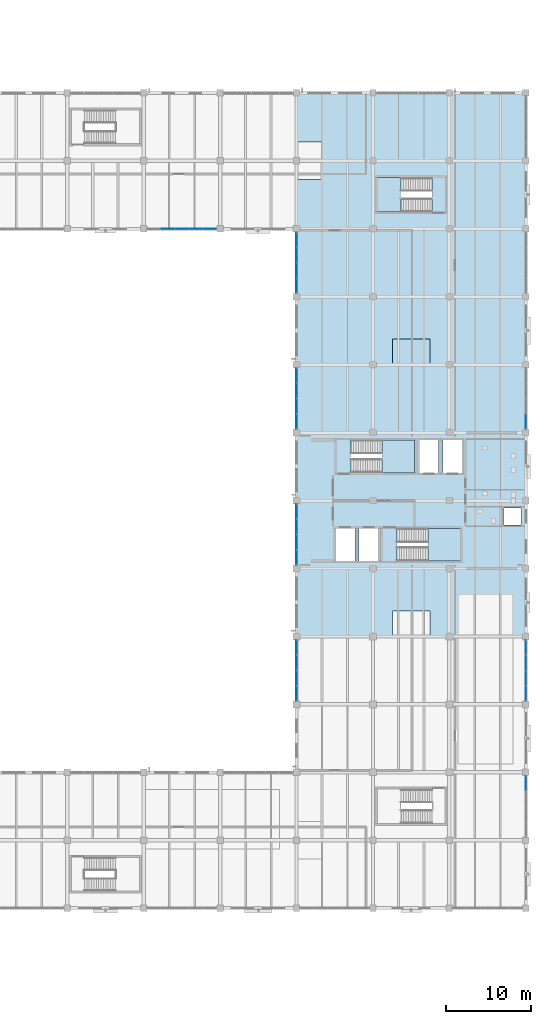
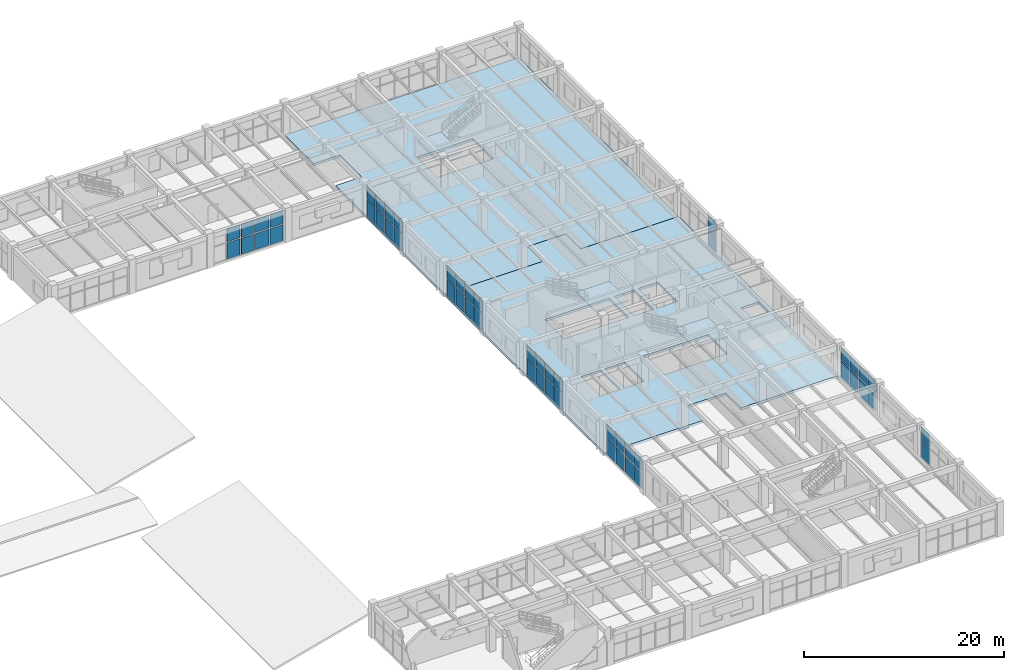
# One storey, part 122 of 148: 52 plates, 5 slabs, 11 elements without a shape of their own.
"""IFC4 building model written with IfcOpenShell, lengths in metres."""

from ifc_helpers import new_model, si_unit, derived_unit, direction, frame, origin, origin_2d, place, context, subcontext, project, spatial, polyline, rectangle, outline, extrude, material, layer, layer_set, type_object, element, aggregate, save


model = new_model("IFC4")

# Units and contexts
model_context = context("Model", 3, precision=1e-05, world=origin(), true_north=direction((0.0, 1.0)))
body_context = subcontext(model_context, "Body", "Model", "MODEL_VIEW")
ifc_project = project(units=[si_unit("LENGTHUNIT", "METRE"), si_unit("AREAUNIT", "SQUARE_METRE"), si_unit("VOLUMEUNIT", "CUBIC_METRE"), si_unit("PLANEANGLEUNIT", "RADIAN"), si_unit("MASSUNIT", "GRAM", prefix="KILO"), derived_unit("THERMALTRANSMITTANCEUNIT", [(si_unit("MASSUNIT", "GRAM", prefix="KILO"), 1), (si_unit("TIMEUNIT", "SECOND"), -3), (si_unit("THERMODYNAMICTEMPERATUREUNIT", "KELVIN"), -1)])], contexts=[model_context])

# Site, building, storey
site_placement = place(None, origin())
site = spatial("IfcSite", under=ifc_project, at=site_placement, CompositionType="ELEMENT")
building_placement = place(site_placement, origin())
building = spatial("IfcBuilding", under=site, at=building_placement, Name="Zhenchuan Archway Interchange", CompositionType="ELEMENT")
storey_placement = place(building_placement, frame((0.0, 0.0, 10.199951171875)))
storey = spatial("IfcBuildingStorey", under=building, at=storey_placement, Name="L02", CompositionType="ELEMENT", Elevation=10.199951171875)

# Curtain wall, plates
ifc_material_1 = material(Name="Anodised Aluminium", Category="aluminium")
curtain_wall_type_1 = type_object("IfcCurtainWallType", Name="CW_UNIT_2", PredefinedType="NOTDEFINED", material=ifc_material_1)
curtain_wall_1_placement = place(storey_placement, origin())
curtain_wall_1 = element("IfcCurtainWall", 1, at=curtain_wall_1_placement, inside=storey, type_object=curtain_wall_type_1, Name="Unitised curtain wall CW:L02:145", PredefinedType="NOTDEFINED")
ifc_material_2 = material(Name="Double Low-E Insulated Glazing", Category="glass")
ifc_layer_1 = layer(ifc_material_2, 0.028076171875)
ifc_layer_set_1 = layer_set([ifc_layer_1], Name="Double Low-E Insulated Glazing")
plate_type_1 = type_object("IfcPlateType", Name="CW_GLZ_1", PredefinedType="CURTAIN_PANEL", material=ifc_layer_set_1)
plate_1_placement = place(storey_placement, frame((133.815673828125, 88.0, 0.080078125), z_axis=(0.0, 0.0, 1.0), x_axis=(-1.0, 0.0, 0.0)))
plate_1 = element("IfcPlate", 2, at=plate_1_placement, type_object=plate_type_1, Name="CW:L02:145 lower glazing panel 0", PredefinedType="CURTAIN_PANEL", context=body_context, shape_type="SweptSolid", body=[
    extrude(rectangle(XDim=1.502685546875, YDim=0.028076171875, at=origin_2d()), origin(), (0.0, 0.0, 1.0), 2.0048828125),
])
plate_2_placement = place(storey_placement, frame((132.162841796875, 88.0, 0.080078125), z_axis=(0.0, 0.0, 1.0), x_axis=(-1.0, 0.0, 0.0)))
plate_2 = element("IfcPlate", 3, at=plate_2_placement, type_object=plate_type_1, Name="CW:L02:145 lower glazing panel 1", PredefinedType="CURTAIN_PANEL", context=body_context, shape_type="SweptSolid", body=[
    extrude(rectangle(XDim=1.522705078125, YDim=0.028076171875, at=origin_2d()), origin(), (0.0, 0.0, 1.0), 2.0048828125),
])
plate_3_placement = place(storey_placement, frame((130.5, 88.0, 0.080078125), z_axis=(0.0, 0.0, 1.0), x_axis=(-1.0, 0.0, 0.0)))
plate_3 = element("IfcPlate", 4, at=plate_3_placement, type_object=plate_type_1, Name="CW:L02:145 lower glazing panel 2", PredefinedType="CURTAIN_PANEL", context=body_context, shape_type="SweptSolid", body=[
    extrude(rectangle(XDim=1.522705078125, YDim=0.028076171875, at=origin_2d()), origin(), (0.0, 0.0, 1.0), 2.0048828125),
])
plate_4_placement = place(storey_placement, frame((128.837158203125, 88.0, 0.080078125), z_axis=(0.0, 0.0, 1.0), x_axis=(-1.0, 0.0, 0.0)))
plate_4 = element("IfcPlate", 5, at=plate_4_placement, type_object=plate_type_1, Name="CW:L02:145 lower glazing panel 3", PredefinedType="CURTAIN_PANEL", context=body_context, shape_type="SweptSolid", body=[
    extrude(rectangle(XDim=1.522705078125, YDim=0.028076171875, at=origin_2d()), origin(), (0.0, 0.0, 1.0), 2.0048828125),
])
ifc_layer_2 = layer(ifc_material_2, 0.02587890625)
ifc_layer_set_2 = layer_set([ifc_layer_2], Name="Double Low-E Insulated Glazing")
plate_type_2 = type_object("IfcPlateType", Name="CW_GLZ_2", PredefinedType="CURTAIN_PANEL", material=ifc_layer_set_2)
plate_5_placement = place(storey_placement, frame((133.815673828125, 88.0, 2.205078125), z_axis=(0.0, 0.0, 1.0), x_axis=(-1.0, 0.0, 0.0)))
plate_5 = element("IfcPlate", 6, at=plate_5_placement, type_object=plate_type_2, Name="CW:L02:145 upper glazing panel 0", PredefinedType="CURTAIN_PANEL", context=body_context, shape_type="SweptSolid", body=[
    extrude(rectangle(XDim=1.502685546875, YDim=0.02587890625, at=origin_2d()), origin(), (0.0, 0.0, 1.0), 1.614990234375),
])
plate_6_placement = place(storey_placement, frame((132.162841796875, 88.0, 2.205078125), z_axis=(0.0, 0.0, 1.0), x_axis=(-1.0, 0.0, 0.0)))
plate_6 = element("IfcPlate", 7, at=plate_6_placement, type_object=plate_type_2, Name="CW:L02:145 upper glazing panel 1", PredefinedType="CURTAIN_PANEL", context=body_context, shape_type="SweptSolid", body=[
    extrude(rectangle(XDim=1.522705078125, YDim=0.02587890625, at=origin_2d()), origin(), (0.0, 0.0, 1.0), 1.614990234375),
])
plate_7_placement = place(storey_placement, frame((130.5, 88.0, 2.205078125), z_axis=(0.0, 0.0, 1.0), x_axis=(-1.0, 0.0, 0.0)))
plate_7 = element("IfcPlate", 8, at=plate_7_placement, type_object=plate_type_2, Name="CW:L02:145 upper glazing panel 2", PredefinedType="CURTAIN_PANEL", context=body_context, shape_type="SweptSolid", body=[
    extrude(rectangle(XDim=1.522705078125, YDim=0.02587890625, at=origin_2d()), origin(), (0.0, 0.0, 1.0), 1.614990234375),
])
plate_8_placement = place(storey_placement, frame((128.837158203125, 88.0, 2.205078125), z_axis=(0.0, 0.0, 1.0), x_axis=(-1.0, 0.0, 0.0)))
plate_8 = element("IfcPlate", 9, at=plate_8_placement, type_object=plate_type_2, Name="CW:L02:145 upper glazing panel 3", PredefinedType="CURTAIN_PANEL", context=body_context, shape_type="SweptSolid", body=[
    extrude(rectangle(XDim=1.522705078125, YDim=0.02587890625, at=origin_2d()), origin(), (0.0, 0.0, 1.0), 1.614990234375),
])
aggregate(curtain_wall_1, [plate_1, plate_5, plate_2, plate_6, plate_3, plate_7, plate_4, plate_8])

curtain_wall_type_2 = type_object("IfcCurtainWallType", Name="CW_UNIT_1", PredefinedType="NOTDEFINED", material=ifc_material_1)
curtain_wall_2_placement = place(storey_placement, origin())
curtain_wall_2 = element("IfcCurtainWall", 10, at=curtain_wall_2_placement, inside=storey, type_object=curtain_wall_type_2, Name="Unitised curtain wall CW:L02:144", PredefinedType="NOTDEFINED")
ifc_layer_3 = layer(ifc_material_2, 0.030029296875)
ifc_layer_set_3 = layer_set([ifc_layer_3], Name="Double Low-E Insulated Glazing")
plate_type_3 = type_object("IfcPlateType", Name="CW_GLZ_3", PredefinedType="CURTAIN_PANEL", material=ifc_layer_set_3)
plate_9_placement = place(storey_placement, frame((144.0, 81.285888671875, 0.080078125), z_axis=(0.0, 0.0, 1.0), x_axis=(0.0, 1.0, 0.0)))
plate_9 = element("IfcPlate", 11, at=plate_9_placement, type_object=plate_type_3, Name="CW:L02:144 lower glazing panel 0", PredefinedType="CURTAIN_PANEL", context=body_context, shape_type="SweptSolid", body=[
    extrude(rectangle(XDim=1.656005859375, YDim=0.028076171875, at=origin_2d()), origin(), (0.0, 0.0, 1.0), 2.0048828125),
])
plate_10_placement = place(storey_placement, frame((144.0, 83.092041015625, 0.080078125), z_axis=(0.0, 0.0, 1.0), x_axis=(0.0, 1.0, 0.0)))
plate_10 = element("IfcPlate", 12, at=plate_10_placement, type_object=plate_type_3, Name="CW:L02:144 lower glazing panel 1", PredefinedType="CURTAIN_PANEL", context=body_context, shape_type="SweptSolid", body=[
    extrude(rectangle(XDim=1.676025390625, YDim=0.028076171875, at=origin_2d()), origin(), (0.0, 0.0, 1.0), 2.0048828125),
])
plate_11_placement = place(storey_placement, frame((144.0, 84.907958984375, 0.080078125), z_axis=(0.0, 0.0, 1.0), x_axis=(0.0, 1.0, 0.0)))
plate_11 = element("IfcPlate", 13, at=plate_11_placement, type_object=plate_type_3, Name="CW:L02:144 lower glazing panel 2", PredefinedType="CURTAIN_PANEL", context=body_context, shape_type="SweptSolid", body=[
    extrude(rectangle(XDim=1.676025390625, YDim=0.028076171875, at=origin_2d()), origin(), (0.0, 0.0, 1.0), 2.0048828125),
])
plate_12_placement = place(storey_placement, frame((144.0, 86.714111328125, 0.080078125), z_axis=(0.0, 0.0, 1.0), x_axis=(0.0, 1.0, 0.0)))
plate_12 = element("IfcPlate", 14, at=plate_12_placement, type_object=plate_type_3, Name="CW:L02:144 lower glazing panel 3", PredefinedType="CURTAIN_PANEL", context=body_context, shape_type="SweptSolid", body=[
    extrude(rectangle(XDim=1.656005859375, YDim=0.028076171875, at=origin_2d()), origin(), (0.0, 0.0, 1.0), 2.0048828125),
])

# Curtain wall, plate
curtain_wall_3_placement = place(storey_placement, origin())
curtain_wall_3 = element("IfcCurtainWall", 15, at=curtain_wall_3_placement, inside=storey, type_object=curtain_wall_type_1, Name="Unitised curtain wall CW:L02:153", PredefinedType="NOTDEFINED")
plate_13_placement = place(storey_placement, frame((171.0, 65.285888671875, 0.080078125), z_axis=(0.0, 0.0, 1.0), x_axis=(0.0, -1.0, 0.0)))
plate_13 = element("IfcPlate", 16, at=plate_13_placement, type_object=plate_type_3, Name="CW:L02:153 lower glazing panel 3", PredefinedType="CURTAIN_PANEL", context=body_context, shape_type="SweptSolid", body=[
    extrude(rectangle(XDim=1.656005859375, YDim=0.028076171875, at=origin_2d()), origin(), (0.0, 0.0, 1.0), 2.0048828125),
])

# Curtain wall, plates
curtain_wall_type_3 = type_object("IfcCurtainWallType", Name="CW_UNIT_3", PredefinedType="NOTDEFINED", material=ifc_material_1)
curtain_wall_4_placement = place(storey_placement, origin())
curtain_wall_4 = element("IfcCurtainWall", 17, at=curtain_wall_4_placement, inside=storey, type_object=curtain_wall_type_3, Name="Unitised curtain wall CW:L02:154", PredefinedType="NOTDEFINED")
plate_14_placement = place(storey_placement, frame((171.0, 38.714111328125, 0.080078125), z_axis=(0.0, 0.0, 1.0), x_axis=(0.0, -1.0, 0.0)))
plate_14 = element("IfcPlate", 18, at=plate_14_placement, type_object=plate_type_3, Name="CW:L02:154 lower glazing panel 0", PredefinedType="CURTAIN_PANEL", context=body_context, shape_type="SweptSolid", body=[
    extrude(rectangle(XDim=1.656005859375, YDim=0.028076171875, at=origin_2d()), origin(), (0.0, 0.0, 1.0), 2.0048828125),
])
plate_15_placement = place(storey_placement, frame((171.0, 36.907958984375, 0.080078125), z_axis=(0.0, 0.0, 1.0), x_axis=(0.0, -1.0, 0.0)))
plate_15 = element("IfcPlate", 19, at=plate_15_placement, type_object=plate_type_3, Name="CW:L02:154 lower glazing panel 1", PredefinedType="CURTAIN_PANEL", context=body_context, shape_type="SweptSolid", body=[
    extrude(rectangle(XDim=1.676025390625, YDim=0.028076171875, at=origin_2d()), origin(), (0.0, 0.0, 1.0), 2.0048828125),
])
plate_16_placement = place(storey_placement, frame((171.0, 35.092041015625, 0.080078125), z_axis=(0.0, 0.0, 1.0), x_axis=(0.0, -1.0, 0.0)))
plate_16 = element("IfcPlate", 20, at=plate_16_placement, type_object=plate_type_3, Name="CW:L02:154 lower glazing panel 2", PredefinedType="CURTAIN_PANEL", context=body_context, shape_type="SweptSolid", body=[
    extrude(rectangle(XDim=1.676025390625, YDim=0.028076171875, at=origin_2d()), origin(), (0.0, 0.0, 1.0), 2.0048828125),
])
plate_17_placement = place(storey_placement, frame((171.0, 33.285888671875, 0.080078125), z_axis=(0.0, 0.0, 1.0), x_axis=(0.0, -1.0, 0.0)))
plate_17 = element("IfcPlate", 21, at=plate_17_placement, type_object=plate_type_3, Name="CW:L02:154 lower glazing panel 3", PredefinedType="CURTAIN_PANEL", context=body_context, shape_type="SweptSolid", body=[
    extrude(rectangle(XDim=1.656005859375, YDim=0.028076171875, at=origin_2d()), origin(), (0.0, 0.0, 1.0), 2.0048828125),
])

# Curtain wall, plate
curtain_wall_type_4 = type_object("IfcCurtainWallType", Name="CW_UNIT_4", PredefinedType="NOTDEFINED", material=ifc_material_1)
curtain_wall_5_placement = place(storey_placement, origin())
curtain_wall_5 = element("IfcCurtainWall", 22, at=curtain_wall_5_placement, inside=storey, type_object=curtain_wall_type_4, Name="Unitised curtain wall CW:L02:155", PredefinedType="NOTDEFINED")
plate_18_placement = place(storey_placement, frame((171.0, 22.7109375, 0.080078125), z_axis=(0.0, 0.0, 1.0), x_axis=(0.0, -1.0, 0.0)))
plate_18 = element("IfcPlate", 23, at=plate_18_placement, type_object=plate_type_3, Name="CW:L02:155 lower glazing panel 0", PredefinedType="CURTAIN_PANEL", context=body_context, shape_type="SweptSolid", body=[
    extrude(rectangle(XDim=1.662353515625, YDim=0.028076171875, at=origin_2d()), origin(), (0.0, 0.0, 1.0), 2.0048828125),
])

# Curtain wall, plates
curtain_wall_6_placement = place(storey_placement, origin())
curtain_wall_6 = element("IfcCurtainWall", 24, at=curtain_wall_6_placement, inside=storey, type_object=curtain_wall_type_4, Name="Unitised curtain wall CW:L02:163", PredefinedType="NOTDEFINED")
plate_19_placement = place(storey_placement, frame((144.0, 33.285888671875, 0.080078125), z_axis=(0.0, 0.0, 1.0), x_axis=(0.0, 1.0, 0.0)))
plate_19 = element("IfcPlate", 25, at=plate_19_placement, type_object=plate_type_3, Name="CW:L02:163 lower glazing panel 0", PredefinedType="CURTAIN_PANEL", context=body_context, shape_type="SweptSolid", body=[
    extrude(rectangle(XDim=1.656005859375, YDim=0.028076171875, at=origin_2d()), origin(), (0.0, 0.0, 1.0), 2.0048828125),
])
plate_20_placement = place(storey_placement, frame((144.0, 35.092041015625, 0.080078125), z_axis=(0.0, 0.0, 1.0), x_axis=(0.0, 1.0, 0.0)))
plate_20 = element("IfcPlate", 26, at=plate_20_placement, type_object=plate_type_3, Name="CW:L02:163 lower glazing panel 1", PredefinedType="CURTAIN_PANEL", context=body_context, shape_type="SweptSolid", body=[
    extrude(rectangle(XDim=1.676025390625, YDim=0.028076171875, at=origin_2d()), origin(), (0.0, 0.0, 1.0), 2.0048828125),
])
plate_21_placement = place(storey_placement, frame((144.0, 36.907958984375, 0.080078125), z_axis=(0.0, 0.0, 1.0), x_axis=(0.0, 1.0, 0.0)))
plate_21 = element("IfcPlate", 27, at=plate_21_placement, type_object=plate_type_3, Name="CW:L02:163 lower glazing panel 2", PredefinedType="CURTAIN_PANEL", context=body_context, shape_type="SweptSolid", body=[
    extrude(rectangle(XDim=1.676025390625, YDim=0.028076171875, at=origin_2d()), origin(), (0.0, 0.0, 1.0), 2.0048828125),
])
plate_22_placement = place(storey_placement, frame((144.0, 38.714111328125, 0.080078125), z_axis=(0.0, 0.0, 1.0), x_axis=(0.0, 1.0, 0.0)))
plate_22 = element("IfcPlate", 28, at=plate_22_placement, type_object=plate_type_3, Name="CW:L02:163 lower glazing panel 3", PredefinedType="CURTAIN_PANEL", context=body_context, shape_type="SweptSolid", body=[
    extrude(rectangle(XDim=1.656005859375, YDim=0.028076171875, at=origin_2d()), origin(), (0.0, 0.0, 1.0), 2.0048828125),
])

curtain_wall_7_placement = place(storey_placement, origin())
curtain_wall_7 = element("IfcCurtainWall", 29, at=curtain_wall_7_placement, inside=storey, type_object=curtain_wall_type_2, Name="Unitised curtain wall CW:L02:164", PredefinedType="NOTDEFINED")
plate_23_placement = place(storey_placement, frame((144.0, 49.285888671875, 0.080078125), z_axis=(0.0, 0.0, 1.0), x_axis=(0.0, 1.0, 0.0)))
plate_23 = element("IfcPlate", 30, at=plate_23_placement, type_object=plate_type_3, Name="CW:L02:164 lower glazing panel 0", PredefinedType="CURTAIN_PANEL", context=body_context, shape_type="SweptSolid", body=[
    extrude(rectangle(XDim=1.656005859375, YDim=0.028076171875, at=origin_2d()), origin(), (0.0, 0.0, 1.0), 2.0048828125),
])
plate_24_placement = place(storey_placement, frame((144.0, 51.092041015625, 0.080078125), z_axis=(0.0, 0.0, 1.0), x_axis=(0.0, 1.0, 0.0)))
plate_24 = element("IfcPlate", 31, at=plate_24_placement, type_object=plate_type_3, Name="CW:L02:164 lower glazing panel 1", PredefinedType="CURTAIN_PANEL", context=body_context, shape_type="SweptSolid", body=[
    extrude(rectangle(XDim=1.676025390625, YDim=0.028076171875, at=origin_2d()), origin(), (0.0, 0.0, 1.0), 2.0048828125),
])
plate_25_placement = place(storey_placement, frame((144.0, 52.907958984375, 0.080078125), z_axis=(0.0, 0.0, 1.0), x_axis=(0.0, 1.0, 0.0)))
plate_25 = element("IfcPlate", 32, at=plate_25_placement, type_object=plate_type_3, Name="CW:L02:164 lower glazing panel 2", PredefinedType="CURTAIN_PANEL", context=body_context, shape_type="SweptSolid", body=[
    extrude(rectangle(XDim=1.676025390625, YDim=0.028076171875, at=origin_2d()), origin(), (0.0, 0.0, 1.0), 2.0048828125),
])
plate_26_placement = place(storey_placement, frame((144.0, 54.714111328125, 0.080078125), z_axis=(0.0, 0.0, 1.0), x_axis=(0.0, 1.0, 0.0)))
plate_26 = element("IfcPlate", 33, at=plate_26_placement, type_object=plate_type_3, Name="CW:L02:164 lower glazing panel 3", PredefinedType="CURTAIN_PANEL", context=body_context, shape_type="SweptSolid", body=[
    extrude(rectangle(XDim=1.656005859375, YDim=0.028076171875, at=origin_2d()), origin(), (0.0, 0.0, 1.0), 2.0048828125),
])

curtain_wall_8_placement = place(storey_placement, origin())
curtain_wall_8 = element("IfcCurtainWall", 34, at=curtain_wall_8_placement, inside=storey, type_object=curtain_wall_type_1, Name="Unitised curtain wall CW:L02:165", PredefinedType="NOTDEFINED")
plate_27_placement = place(storey_placement, frame((144.0, 65.285888671875, 0.080078125), z_axis=(0.0, 0.0, 1.0), x_axis=(0.0, 1.0, 0.0)))
plate_27 = element("IfcPlate", 35, at=plate_27_placement, type_object=plate_type_3, Name="CW:L02:165 lower glazing panel 0", PredefinedType="CURTAIN_PANEL", context=body_context, shape_type="SweptSolid", body=[
    extrude(rectangle(XDim=1.656005859375, YDim=0.028076171875, at=origin_2d()), origin(), (0.0, 0.0, 1.0), 2.0048828125),
])
plate_28_placement = place(storey_placement, frame((144.0, 67.092041015625, 0.080078125), z_axis=(0.0, 0.0, 1.0), x_axis=(0.0, 1.0, 0.0)))
plate_28 = element("IfcPlate", 36, at=plate_28_placement, type_object=plate_type_3, Name="CW:L02:165 lower glazing panel 1", PredefinedType="CURTAIN_PANEL", context=body_context, shape_type="SweptSolid", body=[
    extrude(rectangle(XDim=1.676025390625, YDim=0.028076171875, at=origin_2d()), origin(), (0.0, 0.0, 1.0), 2.0048828125),
])
plate_29_placement = place(storey_placement, frame((144.0, 68.907958984375, 0.080078125), z_axis=(0.0, 0.0, 1.0), x_axis=(0.0, 1.0, 0.0)))
plate_29 = element("IfcPlate", 37, at=plate_29_placement, type_object=plate_type_3, Name="CW:L02:165 lower glazing panel 2", PredefinedType="CURTAIN_PANEL", context=body_context, shape_type="SweptSolid", body=[
    extrude(rectangle(XDim=1.676025390625, YDim=0.028076171875, at=origin_2d()), origin(), (0.0, 0.0, 1.0), 2.0048828125),
])
plate_30_placement = place(storey_placement, frame((144.0, 70.714111328125, 0.080078125), z_axis=(0.0, 0.0, 1.0), x_axis=(0.0, 1.0, 0.0)))
plate_30 = element("IfcPlate", 38, at=plate_30_placement, type_object=plate_type_3, Name="CW:L02:165 lower glazing panel 3", PredefinedType="CURTAIN_PANEL", context=body_context, shape_type="SweptSolid", body=[
    extrude(rectangle(XDim=1.656005859375, YDim=0.028076171875, at=origin_2d()), origin(), (0.0, 0.0, 1.0), 2.0048828125),
])

# Plate
ifc_layer_4 = layer(ifc_material_2, 0.02392578125)
ifc_layer_set_4 = layer_set([ifc_layer_4], Name="Double Low-E Insulated Glazing")
plate_type_4 = type_object("IfcPlateType", Name="CW_GLZ_4", PredefinedType="CURTAIN_PANEL", material=ifc_layer_set_4)
plate_31_placement = place(storey_placement, frame((144.0, 81.285888671875, 2.205078125), z_axis=(0.0, 0.0, 1.0), x_axis=(0.0, 1.0, 0.0)))
plate_31 = element("IfcPlate", 39, at=plate_31_placement, type_object=plate_type_4, Name="CW:L02:144 upper glazing panel 0", PredefinedType="CURTAIN_PANEL", context=body_context, shape_type="SweptSolid", body=[
    extrude(rectangle(XDim=1.656005859375, YDim=0.02587890625, at=origin_2d()), origin(), (0.0, 0.0, 1.0), 1.614990234375),
])

plate_32_placement = place(storey_placement, frame((144.0, 83.092041015625, 2.205078125), z_axis=(0.0, 0.0, 1.0), x_axis=(0.0, 1.0, 0.0)))
plate_32 = element("IfcPlate", 40, at=plate_32_placement, type_object=plate_type_4, Name="CW:L02:144 upper glazing panel 1", PredefinedType="CURTAIN_PANEL", context=body_context, shape_type="SweptSolid", body=[
    extrude(rectangle(XDim=1.676025390625, YDim=0.02587890625, at=origin_2d()), origin(), (0.0, 0.0, 1.0), 1.614990234375),
])

plate_33_placement = place(storey_placement, frame((144.0, 84.907958984375, 2.205078125), z_axis=(0.0, 0.0, 1.0), x_axis=(0.0, 1.0, 0.0)))
plate_33 = element("IfcPlate", 41, at=plate_33_placement, type_object=plate_type_4, Name="CW:L02:144 upper glazing panel 2", PredefinedType="CURTAIN_PANEL", context=body_context, shape_type="SweptSolid", body=[
    extrude(rectangle(XDim=1.676025390625, YDim=0.02587890625, at=origin_2d()), origin(), (0.0, 0.0, 1.0), 1.614990234375),
])

plate_34_placement = place(storey_placement, frame((144.0, 86.714111328125, 2.205078125), z_axis=(0.0, 0.0, 1.0), x_axis=(0.0, 1.0, 0.0)))
plate_34 = element("IfcPlate", 42, at=plate_34_placement, type_object=plate_type_4, Name="CW:L02:144 upper glazing panel 3", PredefinedType="CURTAIN_PANEL", context=body_context, shape_type="SweptSolid", body=[
    extrude(rectangle(XDim=1.656005859375, YDim=0.02587890625, at=origin_2d()), origin(), (0.0, 0.0, 1.0), 1.614990234375),
])

aggregate(curtain_wall_2, [plate_9, plate_31, plate_10, plate_32, plate_11, plate_33, plate_12, plate_34])

plate_35_placement = place(storey_placement, frame((171.0, 65.285888671875, 2.205078125), z_axis=(0.0, 0.0, 1.0), x_axis=(0.0, -1.0, 0.0)))
plate_35 = element("IfcPlate", 43, at=plate_35_placement, type_object=plate_type_4, Name="CW:L02:153 upper glazing panel 3", PredefinedType="CURTAIN_PANEL", context=body_context, shape_type="SweptSolid", body=[
    extrude(rectangle(XDim=1.656005859375, YDim=0.02587890625, at=origin_2d()), origin(), (0.0, 0.0, 1.0), 1.614990234375),
])

aggregate(curtain_wall_3, [plate_13, plate_35])

plate_36_placement = place(storey_placement, frame((171.0, 38.714111328125, 2.205078125), z_axis=(0.0, 0.0, 1.0), x_axis=(0.0, -1.0, 0.0)))
plate_36 = element("IfcPlate", 44, at=plate_36_placement, type_object=plate_type_4, Name="CW:L02:154 upper glazing panel 0", PredefinedType="CURTAIN_PANEL", context=body_context, shape_type="SweptSolid", body=[
    extrude(rectangle(XDim=1.656005859375, YDim=0.02587890625, at=origin_2d()), origin(), (0.0, 0.0, 1.0), 1.614990234375),
])

plate_37_placement = place(storey_placement, frame((171.0, 36.907958984375, 2.205078125), z_axis=(0.0, 0.0, 1.0), x_axis=(0.0, -1.0, 0.0)))
plate_37 = element("IfcPlate", 45, at=plate_37_placement, type_object=plate_type_4, Name="CW:L02:154 upper glazing panel 1", PredefinedType="CURTAIN_PANEL", context=body_context, shape_type="SweptSolid", body=[
    extrude(rectangle(XDim=1.676025390625, YDim=0.02587890625, at=origin_2d()), origin(), (0.0, 0.0, 1.0), 1.614990234375),
])

plate_38_placement = place(storey_placement, frame((171.0, 35.092041015625, 2.205078125), z_axis=(0.0, 0.0, 1.0), x_axis=(0.0, -1.0, 0.0)))
plate_38 = element("IfcPlate", 46, at=plate_38_placement, type_object=plate_type_4, Name="CW:L02:154 upper glazing panel 2", PredefinedType="CURTAIN_PANEL", context=body_context, shape_type="SweptSolid", body=[
    extrude(rectangle(XDim=1.676025390625, YDim=0.02587890625, at=origin_2d()), origin(), (0.0, 0.0, 1.0), 1.614990234375),
])

plate_39_placement = place(storey_placement, frame((171.0, 33.285888671875, 2.205078125), z_axis=(0.0, 0.0, 1.0), x_axis=(0.0, -1.0, 0.0)))
plate_39 = element("IfcPlate", 47, at=plate_39_placement, type_object=plate_type_4, Name="CW:L02:154 upper glazing panel 3", PredefinedType="CURTAIN_PANEL", context=body_context, shape_type="SweptSolid", body=[
    extrude(rectangle(XDim=1.656005859375, YDim=0.02587890625, at=origin_2d()), origin(), (0.0, 0.0, 1.0), 1.614990234375),
])

aggregate(curtain_wall_4, [plate_14, plate_36, plate_15, plate_37, plate_16, plate_38, plate_17, plate_39])

plate_40_placement = place(storey_placement, frame((171.0, 22.7109375, 2.205078125), z_axis=(0.0, 0.0, 1.0), x_axis=(0.0, -1.0, 0.0)))
plate_40 = element("IfcPlate", 48, at=plate_40_placement, type_object=plate_type_4, Name="CW:L02:155 upper glazing panel 0", PredefinedType="CURTAIN_PANEL", context=body_context, shape_type="SweptSolid", body=[
    extrude(rectangle(XDim=1.662353515625, YDim=0.02587890625, at=origin_2d()), origin(), (0.0, 0.0, 1.0), 1.614990234375),
])

aggregate(curtain_wall_5, [plate_18, plate_40])

plate_41_placement = place(storey_placement, frame((144.0, 33.285888671875, 2.205078125), z_axis=(0.0, 0.0, 1.0), x_axis=(0.0, 1.0, 0.0)))
plate_41 = element("IfcPlate", 49, at=plate_41_placement, type_object=plate_type_4, Name="CW:L02:163 upper glazing panel 0", PredefinedType="CURTAIN_PANEL", context=body_context, shape_type="SweptSolid", body=[
    extrude(rectangle(XDim=1.656005859375, YDim=0.02587890625, at=origin_2d()), origin(), (0.0, 0.0, 1.0), 1.614990234375),
])

plate_42_placement = place(storey_placement, frame((144.0, 35.092041015625, 2.205078125), z_axis=(0.0, 0.0, 1.0), x_axis=(0.0, 1.0, 0.0)))
plate_42 = element("IfcPlate", 50, at=plate_42_placement, type_object=plate_type_4, Name="CW:L02:163 upper glazing panel 1", PredefinedType="CURTAIN_PANEL", context=body_context, shape_type="SweptSolid", body=[
    extrude(rectangle(XDim=1.676025390625, YDim=0.02587890625, at=origin_2d()), origin(), (0.0, 0.0, 1.0), 1.614990234375),
])

plate_43_placement = place(storey_placement, frame((144.0, 36.907958984375, 2.205078125), z_axis=(0.0, 0.0, 1.0), x_axis=(0.0, 1.0, 0.0)))
plate_43 = element("IfcPlate", 51, at=plate_43_placement, type_object=plate_type_4, Name="CW:L02:163 upper glazing panel 2", PredefinedType="CURTAIN_PANEL", context=body_context, shape_type="SweptSolid", body=[
    extrude(rectangle(XDim=1.676025390625, YDim=0.02587890625, at=origin_2d()), origin(), (0.0, 0.0, 1.0), 1.614990234375),
])

plate_44_placement = place(storey_placement, frame((144.0, 38.714111328125, 2.205078125), z_axis=(0.0, 0.0, 1.0), x_axis=(0.0, 1.0, 0.0)))
plate_44 = element("IfcPlate", 52, at=plate_44_placement, type_object=plate_type_4, Name="CW:L02:163 upper glazing panel 3", PredefinedType="CURTAIN_PANEL", context=body_context, shape_type="SweptSolid", body=[
    extrude(rectangle(XDim=1.656005859375, YDim=0.02587890625, at=origin_2d()), origin(), (0.0, 0.0, 1.0), 1.614990234375),
])

aggregate(curtain_wall_6, [plate_19, plate_41, plate_20, plate_42, plate_21, plate_43, plate_22, plate_44])

plate_45_placement = place(storey_placement, frame((144.0, 49.285888671875, 2.205078125), z_axis=(0.0, 0.0, 1.0), x_axis=(0.0, 1.0, 0.0)))
plate_45 = element("IfcPlate", 53, at=plate_45_placement, type_object=plate_type_4, Name="CW:L02:164 upper glazing panel 0", PredefinedType="CURTAIN_PANEL", context=body_context, shape_type="SweptSolid", body=[
    extrude(rectangle(XDim=1.656005859375, YDim=0.02587890625, at=origin_2d()), origin(), (0.0, 0.0, 1.0), 1.614990234375),
])

plate_46_placement = place(storey_placement, frame((144.0, 51.092041015625, 2.205078125), z_axis=(0.0, 0.0, 1.0), x_axis=(0.0, 1.0, 0.0)))
plate_46 = element("IfcPlate", 54, at=plate_46_placement, type_object=plate_type_4, Name="CW:L02:164 upper glazing panel 1", PredefinedType="CURTAIN_PANEL", context=body_context, shape_type="SweptSolid", body=[
    extrude(rectangle(XDim=1.676025390625, YDim=0.02587890625, at=origin_2d()), origin(), (0.0, 0.0, 1.0), 1.614990234375),
])

plate_47_placement = place(storey_placement, frame((144.0, 52.907958984375, 2.205078125), z_axis=(0.0, 0.0, 1.0), x_axis=(0.0, 1.0, 0.0)))
plate_47 = element("IfcPlate", 55, at=plate_47_placement, type_object=plate_type_4, Name="CW:L02:164 upper glazing panel 2", PredefinedType="CURTAIN_PANEL", context=body_context, shape_type="SweptSolid", body=[
    extrude(rectangle(XDim=1.676025390625, YDim=0.02587890625, at=origin_2d()), origin(), (0.0, 0.0, 1.0), 1.614990234375),
])

plate_48_placement = place(storey_placement, frame((144.0, 54.714111328125, 2.205078125), z_axis=(0.0, 0.0, 1.0), x_axis=(0.0, 1.0, 0.0)))
plate_48 = element("IfcPlate", 56, at=plate_48_placement, type_object=plate_type_4, Name="CW:L02:164 upper glazing panel 3", PredefinedType="CURTAIN_PANEL", context=body_context, shape_type="SweptSolid", body=[
    extrude(rectangle(XDim=1.656005859375, YDim=0.02587890625, at=origin_2d()), origin(), (0.0, 0.0, 1.0), 1.614990234375),
])

aggregate(curtain_wall_7, [plate_23, plate_45, plate_24, plate_46, plate_25, plate_47, plate_26, plate_48])

plate_49_placement = place(storey_placement, frame((144.0, 65.285888671875, 2.205078125), z_axis=(0.0, 0.0, 1.0), x_axis=(0.0, 1.0, 0.0)))
plate_49 = element("IfcPlate", 57, at=plate_49_placement, type_object=plate_type_4, Name="CW:L02:165 upper glazing panel 0", PredefinedType="CURTAIN_PANEL", context=body_context, shape_type="SweptSolid", body=[
    extrude(rectangle(XDim=1.656005859375, YDim=0.02587890625, at=origin_2d()), origin(), (0.0, 0.0, 1.0), 1.614990234375),
])

plate_50_placement = place(storey_placement, frame((144.0, 67.092041015625, 2.205078125), z_axis=(0.0, 0.0, 1.0), x_axis=(0.0, 1.0, 0.0)))
plate_50 = element("IfcPlate", 58, at=plate_50_placement, type_object=plate_type_4, Name="CW:L02:165 upper glazing panel 1", PredefinedType="CURTAIN_PANEL", context=body_context, shape_type="SweptSolid", body=[
    extrude(rectangle(XDim=1.676025390625, YDim=0.02587890625, at=origin_2d()), origin(), (0.0, 0.0, 1.0), 1.614990234375),
])

plate_51_placement = place(storey_placement, frame((144.0, 68.907958984375, 2.205078125), z_axis=(0.0, 0.0, 1.0), x_axis=(0.0, 1.0, 0.0)))
plate_51 = element("IfcPlate", 59, at=plate_51_placement, type_object=plate_type_4, Name="CW:L02:165 upper glazing panel 2", PredefinedType="CURTAIN_PANEL", context=body_context, shape_type="SweptSolid", body=[
    extrude(rectangle(XDim=1.676025390625, YDim=0.02587890625, at=origin_2d()), origin(), (0.0, 0.0, 1.0), 1.614990234375),
])

plate_52_placement = place(storey_placement, frame((144.0, 70.714111328125, 2.205078125), z_axis=(0.0, 0.0, 1.0), x_axis=(0.0, 1.0, 0.0)))
plate_52 = element("IfcPlate", 60, at=plate_52_placement, type_object=plate_type_4, Name="CW:L02:165 upper glazing panel 3", PredefinedType="CURTAIN_PANEL", context=body_context, shape_type="SweptSolid", body=[
    extrude(rectangle(XDim=1.656005859375, YDim=0.02587890625, at=origin_2d()), origin(), (0.0, 0.0, 1.0), 1.614990234375),
])

aggregate(curtain_wall_8, [plate_27, plate_49, plate_28, plate_50, plate_29, plate_51, plate_30, plate_52])

# Slabs
ifc_material_3 = material(Name="Concrete C35", Category="concrete")
ifc_layer_5 = layer(ifc_material_3, 0.2900390625)
ifc_layer_set_5 = layer_set([ifc_layer_5], Name="Concrete C35")
slab_type_1 = type_object("IfcSlabType", Name="SLB_FLR_290", PredefinedType="FLOOR", material=ifc_layer_set_5)
slab_1_placement = place(storey_placement, frame((0.0, 0.0, -0.2900390625)))
element("IfcSlab", 61, at=slab_1_placement, inside=storey, type_object=slab_type_1, Name="Structural slab L02 OPS-EM", PredefinedType="FLOOR", context=body_context, shape_type="SweptSolid", body=[
    extrude(outline(polyline([(159.699951171875, 40.0), (159.699951171875, 43.0), (155.300048828125, 43.0), (155.300048828125, 40.0), (144.0, 40.0), (144.0, 72.0), (155.302001953125, 72.0), (155.302001953125, 74.998046875), (159.697998046875, 74.998046875), (159.697998046875, 72.0), (171.0, 72.0), (171.0, 40.0), (159.699951171875, 40.0)]), holes=[polyline([(150.425048828125, 63.125), (150.425048828125, 59.27490234375), (157.875, 59.27490234375), (157.875, 63.125), (150.425048828125, 63.125)]), polyline([(163.27490234375, 52.72509765625), (155.824951171875, 52.72509765625), (155.824951171875, 48.875), (163.27490234375, 48.875), (163.27490234375, 52.72509765625)]), polyline([(160.72998046875, 59.27001953125), (160.72998046875, 63.1298828125), (158.469970703125, 63.1298828125), (158.469970703125, 59.27001953125), (160.72998046875, 59.27001953125)]), polyline([(161.219970703125, 59.27001953125), (163.47998046875, 59.27001953125), (163.47998046875, 63.1298828125), (161.219970703125, 63.1298828125), (161.219970703125, 59.27001953125)]), polyline([(148.6201171875, 52.72998046875), (148.6201171875, 48.8701171875), (150.8798828125, 48.8701171875), (150.8798828125, 52.72998046875), (148.6201171875, 52.72998046875)]), polyline([(153.6201171875, 52.72998046875), (151.360107421875, 52.72998046875), (151.360107421875, 48.8701171875), (153.6201171875, 48.8701171875), (153.6201171875, 52.72998046875)]), polyline([(170.449951171875, 53.14990234375), (170.449951171875, 55.10009765625), (168.449951171875, 55.10009765625), (168.449951171875, 53.14990234375), (170.449951171875, 53.14990234375)])]), origin(), (0.0, 0.0, 1.0), 0.2900390625),
])
slab_2_placement = place(storey_placement, frame((0.0, 0.0, -0.2900390625)))
element("IfcSlab", 62, at=slab_2_placement, inside=storey, type_object=slab_type_1, Name="Structural slab L02 OPS-EN", PredefinedType="FLOOR", context=body_context, shape_type="SweptSolid", body=[
    extrude(outline(polyline([(171.0, 72.0), (159.699951171875, 72.0), (159.699951171875, 75.0), (155.300048828125, 75.0), (155.300048828125, 72.0), (144.0, 72.0), (144.0, 93.800048828125), (147.0, 93.800048828125), (147.0, 98.199951171875), (144.0, 98.199951171875), (144.0, 104.0), (171.0, 104.0), (171.0, 72.0)]), holes=[polyline([(159.97509765625, 89.97509765625), (159.97509765625, 94.02490234375), (153.5048828125, 94.02490234375), (153.5048828125, 89.97509765625), (159.97509765625, 89.97509765625)])]), origin(), (0.0, 0.0, 1.0), 0.2900390625),
])

# Stair, slab
stair_type_1 = type_object("IfcStairType", Name="STR_HALF_1550", PredefinedType="HALF_TURN_STAIR", material=ifc_material_3)
stair_1_placement = place(storey_placement, origin())
stair_1 = element("IfcStair", 63, at=stair_1_placement, inside=storey, type_object=stair_type_1, Name="Stair ST-O1 (L02)", PredefinedType="HALF_TURN_STAIR")
ifc_layer_6 = layer(ifc_material_3, 0.199951171875)
ifc_layer_set_6 = layer_set([ifc_layer_6], Name="Concrete C35")
slab_type_2 = type_object("IfcSlabType", Name="SLB_LANDING_200", PredefinedType="LANDING", material=ifc_layer_set_6)
slab_3_placement = place(storey_placement, frame((0.0, 0.0, 1.900146484375)))
slab_3 = element("IfcSlab", 64, at=slab_3_placement, type_object=slab_type_2, Name="Stair ST-O1 half-landing (L02)", PredefinedType="LANDING", context=body_context, shape_type="SweptSolid", body=[
    extrude(outline(polyline([(154.0849609375, 59.27294921875), (157.876953125, 59.27294921875), (157.876953125, 63.126953125), (154.0849609375, 63.126953125), (154.0849609375, 59.27294921875)])), origin(), (0.0, 0.0, 1.0), 0.199951171875),
])
aggregate(stair_1, [slab_3])

stair_type_2 = type_object("IfcStairType", Name="STR_HALF_1600", PredefinedType="HALF_TURN_STAIR", material=ifc_material_3)
stair_2_placement = place(storey_placement, origin())
stair_2 = element("IfcStair", 65, at=stair_2_placement, inside=storey, type_object=stair_type_2, Name="Stair ST-O2 (L02)", PredefinedType="HALF_TURN_STAIR")
slab_4_placement = place(storey_placement, frame((0.0, 0.0, 1.900146484375)))
slab_4 = element("IfcSlab", 66, at=slab_4_placement, type_object=slab_type_2, Name="Stair ST-O2 half-landing (L02)", PredefinedType="LANDING", context=body_context, shape_type="SweptSolid", body=[
    extrude(outline(polyline([(159.485107421875, 48.873046875), (163.277099609375, 48.873046875), (163.277099609375, 52.72705078125), (159.485107421875, 52.72705078125), (159.485107421875, 48.873046875)])), origin(), (0.0, 0.0, 1.0), 0.199951171875),
])
aggregate(stair_2, [slab_4])

stair_3_placement = place(storey_placement, origin())
stair_3 = element("IfcStair", 67, at=stair_3_placement, inside=storey, type_object=stair_type_1, Name="Stair ST-O3 (L02)", PredefinedType="HALF_TURN_STAIR")
slab_5_placement = place(storey_placement, frame((0.0, 0.0, 1.900146484375)))
slab_5 = element("IfcSlab", 68, at=slab_5_placement, type_object=slab_type_2, Name="Stair ST-O3 half-landing (L02)", PredefinedType="LANDING", context=body_context, shape_type="SweptSolid", body=[
    extrude(outline(polyline([(153.5029296875, 89.972900390625), (156.31494140625, 89.972900390625), (156.31494140625, 94.027099609375), (153.5029296875, 94.027099609375), (153.5029296875, 89.972900390625)])), origin(), (0.0, 0.0, 1.0), 0.199951171875),
])
aggregate(stair_3, [slab_5])

save(model, "model.ifc")
